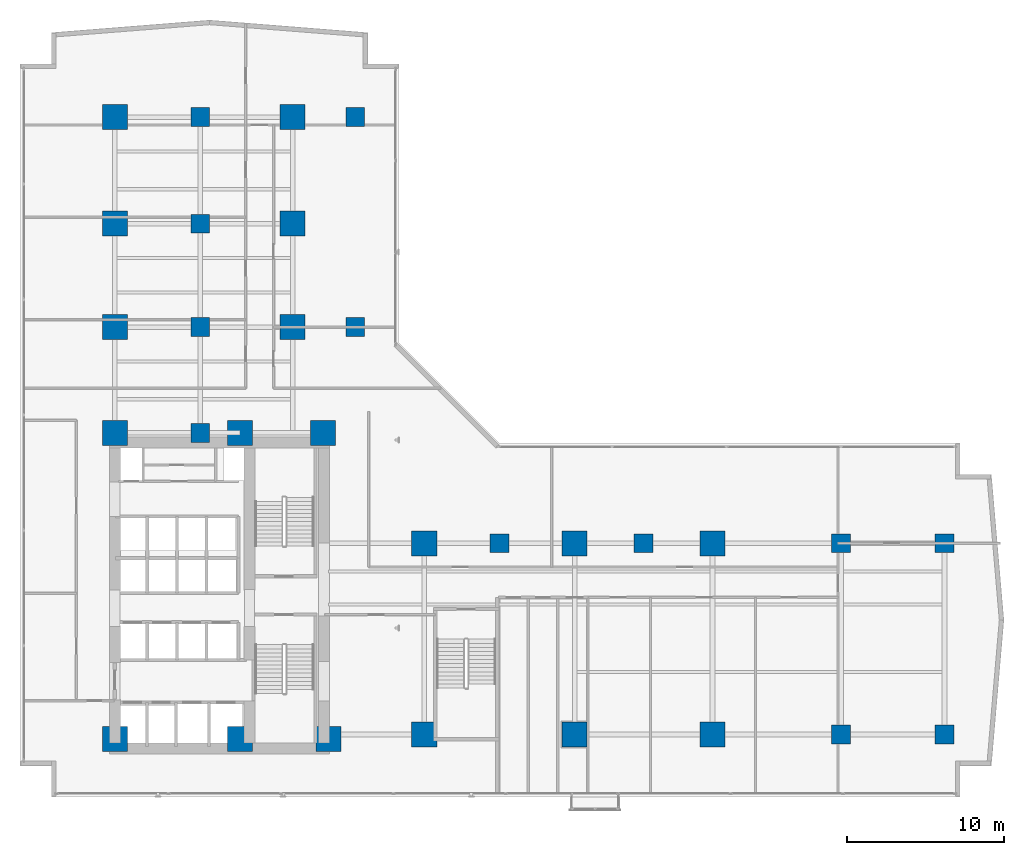
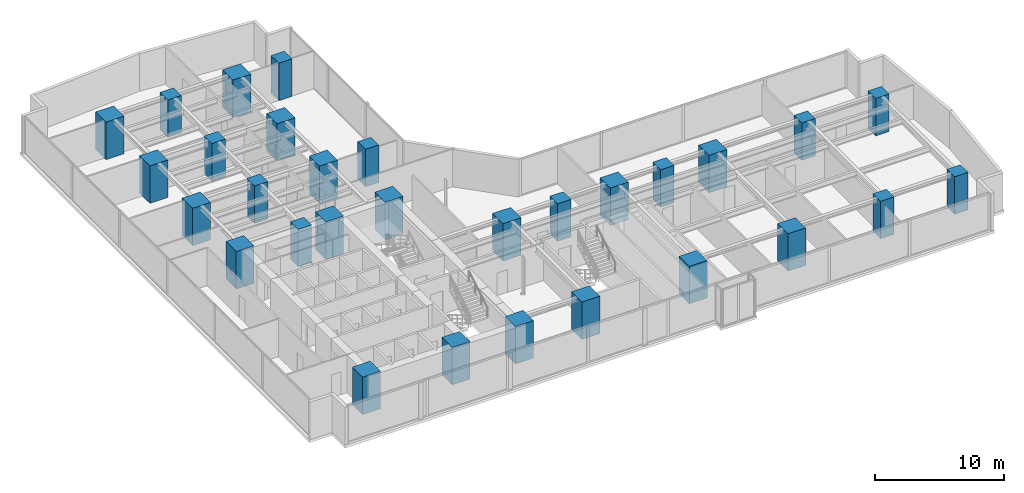
# One storey, part 1 of 28: 30 columns.
"""IFC4 building model written with IfcOpenShell, lengths in metres."""

from ifc_helpers import new_model, si_unit, direction, frame, origin, origin_2d, place, context, subcontext, project, spatial, rectangle, extrude, material, material_profile, profile_set, type_object, element, save


model = new_model("IFC4")

# Units and contexts
model_context = context("Model", 3, precision=1e-05, world=origin(), true_north=direction((0.0, 1.0)))
body_context = subcontext(model_context, "Body", "Model", "MODEL_VIEW")
ifc_project = project(units=[si_unit("LENGTHUNIT", "METRE"), si_unit("AREAUNIT", "SQUARE_METRE"), si_unit("VOLUMEUNIT", "CUBIC_METRE"), si_unit("PLANEANGLEUNIT", "RADIAN"), si_unit("MASSUNIT", "GRAM", prefix="KILO")], contexts=[model_context])

# Site, building, storey
site_placement = place(None, origin())
site = spatial("IfcSite", under=ifc_project, at=site_placement, CompositionType="ELEMENT")
building_placement = place(site_placement, origin())
building = spatial("IfcBuilding", under=site, at=building_placement, Name="Kolvaren Waterfront Exchange", CompositionType="ELEMENT")
storey_placement = place(building_placement, frame((0.0, 0.0, 56.199951171875)))
storey = spatial("IfcBuildingStorey", under=building, at=storey_placement, Name="L14", CompositionType="ELEMENT", Elevation=56.199951171875)

# Columns
ifc_material = material(Name="Concrete C70/85", Category="concrete")
ifc_material_profile_1 = material_profile(ifc_material, rectangle(XDim=1.199951171875, YDim=1.199951171875, at=origin_2d()), Name="RC-COL-1200x1200")
ifc_profile_set_1 = profile_set([ifc_material_profile_1], Name="Concrete C70/85")
column_type_1 = type_object("IfcColumnType", Name="STR-COL-1200-C70", PredefinedType="COLUMN", material=ifc_profile_set_1)
for number, where, z_axis, x_axis, name in (
    (1, (53.800048828125, 5.199951171875, 0.0), (0.0, 0.0, 1.0), (1.0, 0.0, 0.0), "L14 column ZC01"),
    (2, (53.800048828125, 17.39990234375, 0.0), (0.0, 0.0, 1.0), (1.0, 0.0, 0.0), "L14 column ZC02"),
    (3, (60.39990234375, 5.199951171875, 0.0), (0.0, 0.0, 1.0), (1.0, 0.0, 0.0), "L14 column ZC03"),
    (4, (60.39990234375, 17.39990234375, 0.0), (0.0, 0.0, 1.0), (1.0, 0.0, 0.0), "L14 column ZC04"),
    (5, (22.800048828125, 31.199951171875, 0.0), (0.0, 0.0, 1.0), (1.0, 0.0, 0.0), "L14 column ZC05"),
    (6, (22.800048828125, 44.60009765625, 0.0), (0.0, 0.0, 1.0), (1.0, 0.0, 0.0), "L14 column ZC06"),
    (7, (12.89990234375, 24.449951171875, 0.0), (0.0, 0.0, 1.0), (1.0, 0.0, 0.0), "L14 column TC01"),
    (8, (12.89990234375, 31.199951171875, 0.0), (0.0, 0.0, 1.0), (1.0, 0.0, 0.0), "L14 column TC02"),
    (9, (12.89990234375, 37.800048828125, 0.0), (0.0, 0.0, 1.0), (1.0, 0.0, 0.0), "L14 column TC03"),
    (10, (12.89990234375, 44.60009765625, 0.0), (0.0, 0.0, 1.0), (1.0, 0.0, 0.0), "L14 column TC04"),
    (11, (32.0, 17.39990234375, 0.0), (0.0, 0.0, 1.0), (1.0, 0.0, 0.0), "L14 column TC05"),
    (12, (41.199951171875, 17.39990234375, 0.0), (0.0, 0.0, 1.0), (1.0, 0.0, 0.0), "L14 column TC06"),
):
    element("IfcColumn", number, at=place(storey_placement, frame(where, z_axis=z_axis, x_axis=x_axis)), inside=storey, type_object=column_type_1, Name=name, PredefinedType="COLUMN", context=body_context, shape_type="SweptSolid", body=[
        extrude(rectangle(XDim=1.199951171875, YDim=1.199951171875, at=origin_2d()), origin(), (0.0, 0.0, 1.0), 3.5400390625),
    ])
ifc_material_profile_2 = material_profile(ifc_material, rectangle(XDim=1.60009765625, YDim=1.60009765625, at=origin_2d()), Name="RC-COL-1600x1600")
ifc_profile_set_2 = profile_set([ifc_material_profile_2], Name="Concrete C70/85")
column_type_2 = type_object("IfcColumnType", Name="STR-COL-1600-C70", PredefinedType="COLUMN", material=ifc_profile_set_2)
for number, where, z_axis, x_axis, name in (
    (13, (7.449951171875, 4.89990234375, 0.0), (0.0, 0.0, 1.0), (1.0, 0.0, 0.0), "L14 column MC01"),
    (14, (15.449951171875, 4.89990234375, 0.0), (0.0, 0.0, 1.0), (1.0, 0.0, 0.0), "L14 column MC02"),
    (15, (21.10009765625, 4.89990234375, 0.0), (0.0, 0.0, 1.0), (1.0, 0.0, 0.0), "L14 column MC03"),
    (16, (7.449951171875, 24.449951171875, 0.0), (0.0, 0.0, 1.0), (1.0, 0.0, 0.0), "L14 column MC04"),
    (17, (15.449951171875, 24.449951171875, 0.0), (0.0, 0.0, 1.0), (1.0, 0.0, 0.0), "L14 column MC05"),
    (18, (20.75, 24.449951171875, 0.0), (0.0, 0.0, 1.0), (1.0, 0.0, 0.0), "L14 column MC06"),
    (19, (7.449951171875, 31.199951171875, 0.0), (0.0, 0.0, 1.0), (1.0, 0.0, 0.0), "L14 column NC01"),
    (20, (7.449951171875, 37.800048828125, 0.0), (0.0, 0.0, 1.0), (1.0, 0.0, 0.0), "L14 column NC02"),
    (21, (7.449951171875, 44.60009765625, 0.0), (0.0, 0.0, 1.0), (1.0, 0.0, 0.0), "L14 column NC03"),
    (22, (18.800048828125, 31.199951171875, 0.0), (0.0, 0.0, 1.0), (1.0, 0.0, 0.0), "L14 column NC04"),
    (23, (18.800048828125, 37.800048828125, 0.0), (0.0, 0.0, 1.0), (1.0, 0.0, 0.0), "L14 column NC05"),
    (24, (18.800048828125, 44.60009765625, 0.0), (0.0, 0.0, 1.0), (1.0, 0.0, 0.0), "L14 column NC06"),
    (25, (27.199951171875, 5.199951171875, 0.0), (0.0, 0.0, 1.0), (1.0, 0.0, 0.0), "L14 column EC01"),
    (26, (36.800048828125, 5.199951171875, 0.0), (0.0, 0.0, 1.0), (1.0, 0.0, 0.0), "L14 column EC02"),
    (27, (45.60009765625, 5.199951171875, 0.0), (0.0, 0.0, 1.0), (1.0, 0.0, 0.0), "L14 column EC03"),
    (28, (27.199951171875, 17.39990234375, 0.0), (0.0, 0.0, 1.0), (1.0, 0.0, 0.0), "L14 column EC04"),
    (29, (36.800048828125, 17.39990234375, 0.0), (0.0, 0.0, 1.0), (1.0, 0.0, 0.0), "L14 column EC05"),
    (30, (45.60009765625, 17.39990234375, 0.0), (0.0, 0.0, 1.0), (1.0, 0.0, 0.0), "L14 column EC06"),
):
    element("IfcColumn", number, at=place(storey_placement, frame(where, z_axis=z_axis, x_axis=x_axis)), inside=storey, type_object=column_type_2, Name=name, PredefinedType="COLUMN", context=body_context, shape_type="SweptSolid", body=[
        extrude(rectangle(XDim=1.60009765625, YDim=1.60009765625, at=origin_2d()), origin(), (0.0, 0.0, 1.0), 3.5400390625),
    ])

save(model, "model.ifc")
